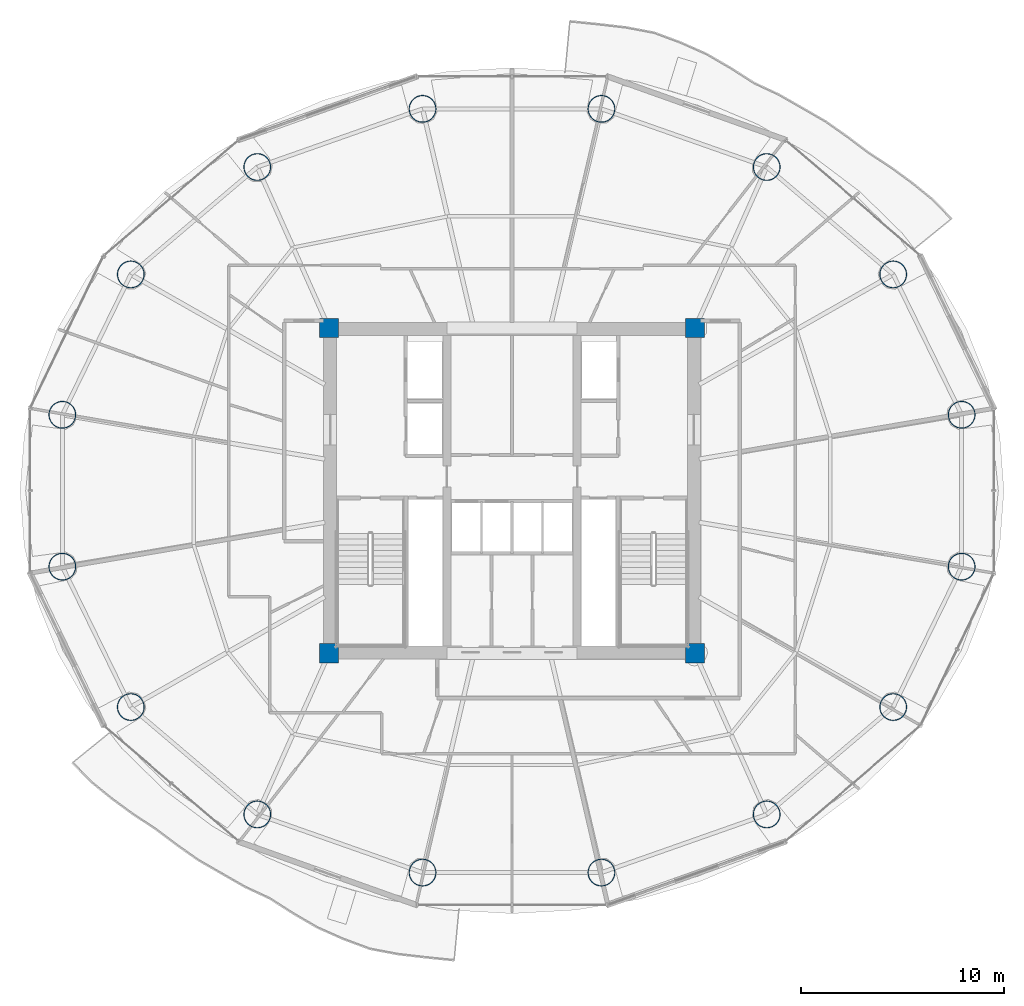
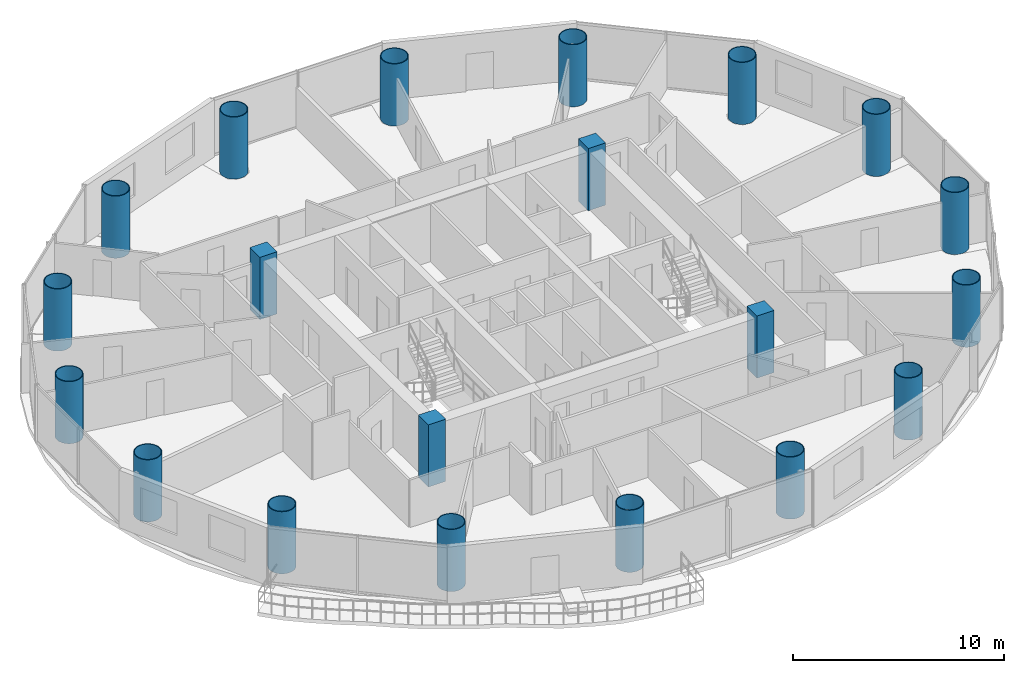
# One storey, part 1 of 26: 20 columns.
"""IFC4 building model written with IfcOpenShell, lengths in metres."""

from ifc_helpers import new_model, si_unit, direction, frame, origin, origin_2d, place, context, subcontext, project, spatial, rectangle, hollow_circle, extrude, material, material_profile, profile_set, type_object, element, save


model = new_model("IFC4")

# Units and contexts
model_context = context("Model", 3, precision=1e-05, world=origin(), true_north=direction((-0.2419218956, 0.970295726276)))
body_context = subcontext(model_context, "Body", "Model", "MODEL_VIEW")
ifc_project = project(units=[si_unit("LENGTHUNIT", "METRE"), si_unit("AREAUNIT", "SQUARE_METRE"), si_unit("VOLUMEUNIT", "CUBIC_METRE"), si_unit("PLANEANGLEUNIT", "RADIAN"), si_unit("MASSUNIT", "GRAM", prefix="KILO")], contexts=[model_context])

# Site, building, storey
site_placement = place(None, origin())
site = spatial("IfcSite", under=ifc_project, at=site_placement, CompositionType="ELEMENT")
building_placement = place(site_placement, origin())
building = spatial("IfcBuilding", under=site, at=building_placement, Name="Cobrevalo Terracotta Tower", CompositionType="ELEMENT")
storey_placement = place(building_placement, frame((0.0, 0.0, 142.60009765625)))
storey = spatial("IfcBuildingStorey", under=building, at=storey_placement, Name="L37", CompositionType="ELEMENT", Elevation=142.60009765625)

# Columns
ifc_material_1 = material(Name="Steel S355", Category="steel")
ifc_material_profile_1 = material_profile(ifc_material_1, hollow_circle(Radius=0.675048828125, WallThickness=0.0419921875, at=origin_2d()), Name="CHS 1350x42")
ifc_profile_set_1 = profile_set([ifc_material_profile_1], Name="Steel S355")
column_type_1 = type_object("IfcColumnType", Name="Structural Column CHS 1350x42 (Steel S355)", PredefinedType="COLUMN", material=ifc_profile_set_1)
for number, where, z_axis, x_axis, name in (
    (1, (60.11669921875, 30.535888671875, 0.0), (0.0, 0.0, 1.0), (1.0, 0.0, 0.0), "L37 composite megacolumn MC01"),
    (2, (56.749755859375, 37.439208984375, 0.0), (0.0, 0.0, 1.0), (1.0, 0.0, 0.0), "L37 composite megacolumn MC02"),
    (3, (50.528076171875, 42.72265625, 0.0), (0.0, 0.0, 1.0), (1.0, 0.0, 0.0), "L37 composite megacolumn MC03"),
    (4, (42.399169921875, 45.58203125, 0.0), (0.0, 0.0, 1.0), (1.0, 0.0, 0.0), "L37 composite megacolumn MC04"),
    (5, (33.600830078125, 45.58203125, 0.0), (0.0, 0.0, 1.0), (1.0, 0.0, 0.0), "L37 composite megacolumn MC05"),
    (6, (25.471923828125, 42.72265625, 0.0), (0.0, 0.0, 1.0), (1.0, 0.0, 0.0), "L37 composite megacolumn MC06"),
    (7, (19.250244140625, 37.439208984375, 0.0), (0.0, 0.0, 1.0), (1.0, 0.0, 0.0), "L37 composite megacolumn MC07"),
    (8, (15.88330078125, 30.535888671875, 0.0), (0.0, 0.0, 1.0), (1.0, 0.0, 0.0), "L37 composite megacolumn MC08"),
    (9, (15.88330078125, 23.06396484375, 0.0), (0.0, 0.0, 1.0), (1.0, 0.0, 0.0), "L37 composite megacolumn MC09"),
    (10, (19.250244140625, 16.160888671875, 0.0), (0.0, 0.0, 1.0), (1.0, 0.0, 0.0), "L37 composite megacolumn MC10"),
    (11, (25.471923828125, 10.87744140625, 0.0), (0.0, 0.0, 1.0), (1.0, 0.0, 0.0), "L37 composite megacolumn MC11"),
    (12, (33.600830078125, 8.01806640625, 0.0), (0.0, 0.0, 1.0), (1.0, 0.0, 0.0), "L37 composite megacolumn MC12"),
    (13, (42.399169921875, 8.01806640625, 0.0), (0.0, 0.0, 1.0), (1.0, 0.0, 0.0), "L37 composite megacolumn MC13"),
    (14, (50.528076171875, 10.87744140625, 0.0), (0.0, 0.0, 1.0), (1.0, 0.0, 0.0), "L37 composite megacolumn MC14"),
    (15, (56.749755859375, 16.160888671875, 0.0), (0.0, 0.0, 1.0), (1.0, 0.0, 0.0), "L37 composite megacolumn MC15"),
    (16, (60.11669921875, 23.06396484375, 0.0), (0.0, 0.0, 1.0), (1.0, 0.0, 0.0), "L37 composite megacolumn MC16"),
):
    element("IfcColumn", number, at=place(storey_placement, frame(where, z_axis=z_axis, x_axis=x_axis)), inside=storey, type_object=column_type_1, Name=name, PredefinedType="COLUMN", context=body_context, shape_type="SweptSolid", body=[
        extrude(hollow_circle(Radius=0.675048828125, WallThickness=0.0419921875, at=origin_2d()), origin(), (0.0, 0.0, 1.0), 3.599853515625),
    ])
ifc_material_2 = material(Name="Concrete C55", Category="concrete")
ifc_material_profile_2 = material_profile(ifc_material_2, rectangle(XDim=0.949951171875, YDim=0.949951171875, at=origin_2d()), Name="RC COL 950x950")
ifc_profile_set_2 = profile_set([ifc_material_profile_2], Name="Concrete C55")
column_type_2 = type_object("IfcColumnType", Name="Structural Column RC COL 950x950 (Concrete C55)", PredefinedType="COLUMN", material=ifc_profile_set_2)
for number, where, z_axis, x_axis, name in (
    (17, (29.0, 18.800048828125, 0.0), (0.0, 0.0, 1.0), (1.0, 0.0, 0.0), "L37 core corner column CC1"),
    (18, (47.0, 18.800048828125, 0.0), (0.0, 0.0, 1.0), (1.0, 0.0, 0.0), "L37 core corner column CC2"),
    (19, (47.0, 34.800048828125, 0.0), (0.0, 0.0, 1.0), (1.0, 0.0, 0.0), "L37 core corner column CC3"),
    (20, (29.0, 34.800048828125, 0.0), (0.0, 0.0, 1.0), (1.0, 0.0, 0.0), "L37 core corner column CC4"),
):
    element("IfcColumn", number, at=place(storey_placement, frame(where, z_axis=z_axis, x_axis=x_axis)), inside=storey, type_object=column_type_2, Name=name, PredefinedType="COLUMN", context=body_context, shape_type="SweptSolid", body=[
        extrude(rectangle(XDim=0.949951171875, YDim=0.949951171875, at=origin_2d()), origin(), (0.0, 0.0, 1.0), 3.599853515625),
    ])

save(model, "model.ifc")
